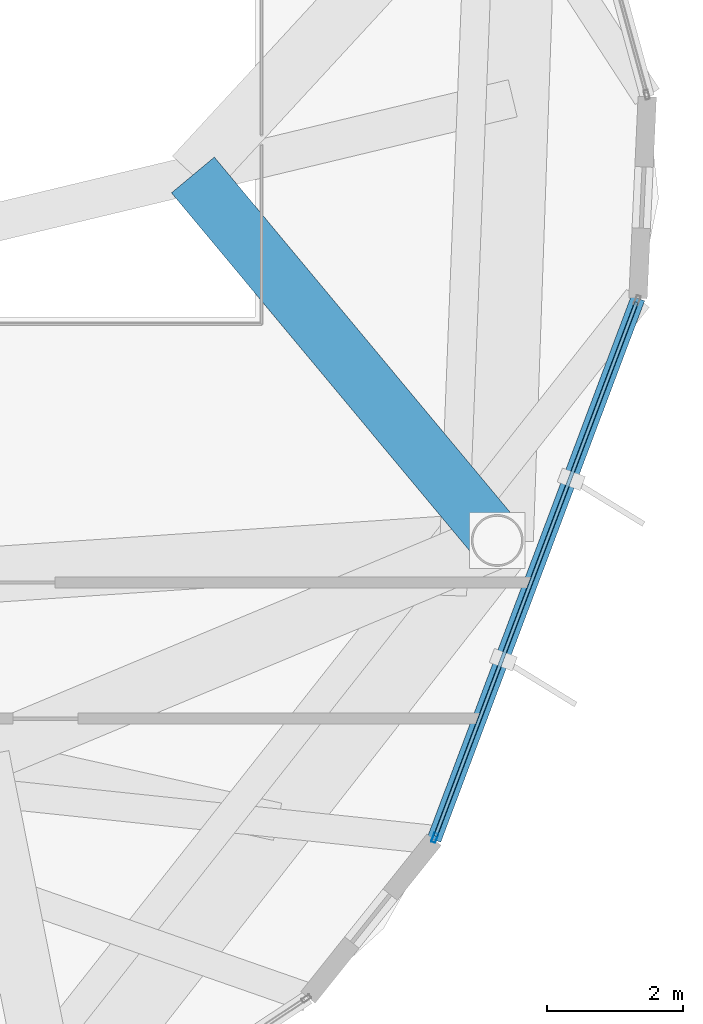
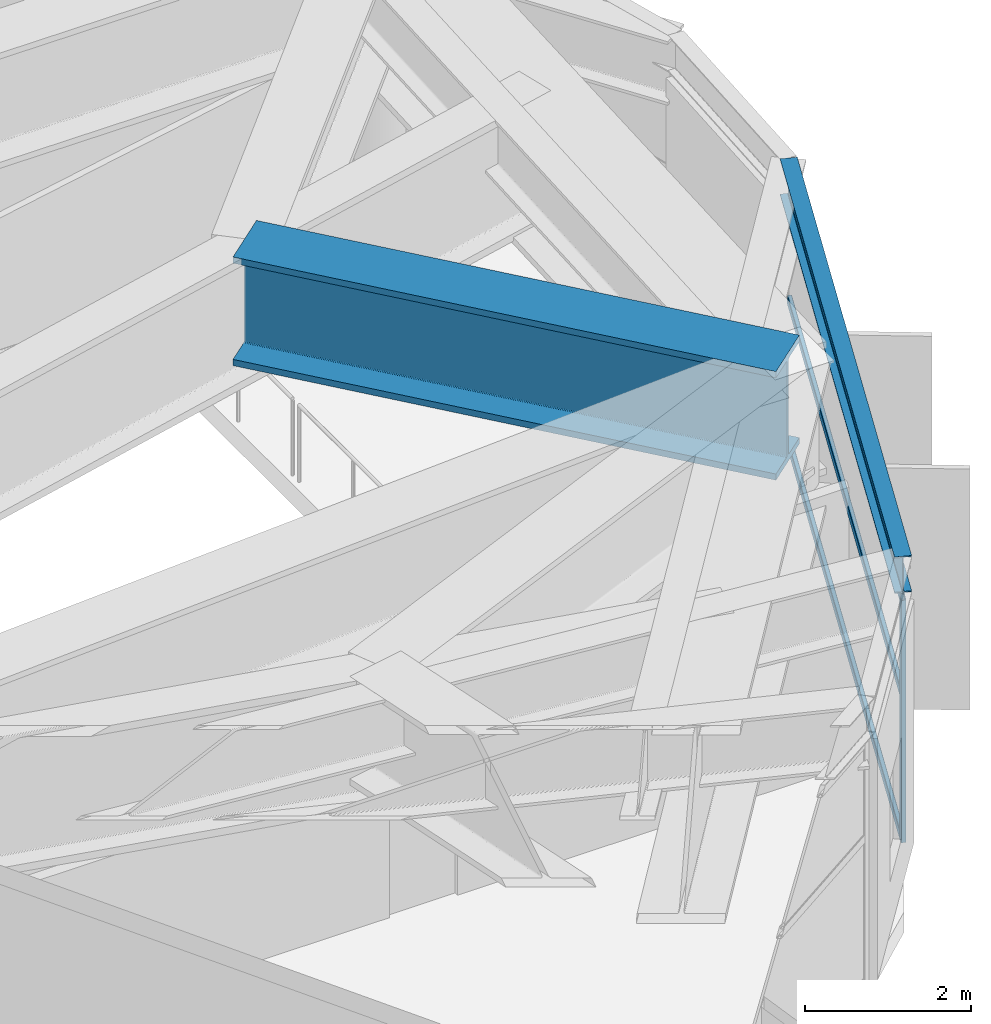
# One storey, part 14 of 27: 4 members, 2 beams, 1 element without a shape of its own.
"""IFC4 building model written with IfcOpenShell, lengths in metres."""

from ifc_helpers import new_model, si_unit, direction, frame, origin, origin_2d, place, context, subcontext, project, spatial, hollow_rectangle, i_section, extrude, material, layer, layer_set, material_profile, profile_set, type_object, element, aggregate, save


model = new_model("IFC4")

# Units and contexts
model_context = context("Model", 3, precision=1e-05, world=origin(), true_north=direction((0.0, 1.0)))
body_context = subcontext(model_context, "Body", "Model", "MODEL_VIEW")
ifc_project = project(units=[si_unit("LENGTHUNIT", "METRE"), si_unit("AREAUNIT", "SQUARE_METRE"), si_unit("VOLUMEUNIT", "CUBIC_METRE"), si_unit("PLANEANGLEUNIT", "RADIAN"), si_unit("MASSUNIT", "GRAM", prefix="KILO")], contexts=[model_context])

# Site, building, storey
site_placement = place(None, origin())
site = spatial("IfcSite", under=ifc_project, at=site_placement, CompositionType="ELEMENT")
building_placement = place(site_placement, origin())
building = spatial("IfcBuilding", under=site, at=building_placement, Name="Soratama Intermodal Tower", CompositionType="ELEMENT")
storey_placement = place(building_placement, frame((0.0, 0.0, 288.550048828125)))
storey = spatial("IfcBuildingStorey", under=building, at=storey_placement, Name="L73", CompositionType="ELEMENT", Elevation=288.550048828125)

# Beams
ifc_material_1 = material(Name="Structural steel ASTM A992 Grade 50", Category="steel")
ifc_material_profile_1 = material_profile(ifc_material_1, i_section(OverallWidth=0.2099609375, OverallDepth=0.537109375, WebThickness=0.010986328125, FlangeThickness=0.017333984375, FilletRadius=0.012939453125, at=origin_2d()), Name="W21X68")
ifc_profile_set_1 = profile_set([ifc_material_profile_1], Name="Structural steel ASTM A992 Grade 50")
beam_type_1 = type_object("IfcBeamType", Name="BM-SPN-W21X68", PredefinedType="SPANDREL", material=ifc_profile_set_1)
beam_1_placement = place(storey_placement, frame((60.23388671875, 14.719970703125, 3.926513671875), z_axis=(0.352457603215, 0.935827782199, 0.0), x_axis=(-0.935827782199, 0.352457603215, 0.0)))
element("IfcBeam", 1, at=beam_1_placement, inside=storey, type_object=beam_type_1, Name="BS-L73-F08", PredefinedType="SPANDREL", context=body_context, shape_type="SweptSolid", body=[
    extrude(i_section(OverallWidth=0.2099609375, OverallDepth=0.537109375, WebThickness=0.010986328125, FlangeThickness=0.017333984375, FilletRadius=0.012939453125, at=origin_2d()), origin(), (0.0, 0.0, 1.0), 8.50048828125),
])
ifc_material_2 = material(Name="Structural steel ASTM A992 Grade 50", Category="steel")
ifc_material_profile_2 = material_profile(ifc_material_2, i_section(OverallWidth=0.820068359375, OverallDepth=1.60205078125, WebThickness=0.055908203125, FlangeThickness=0.092041015625, FilletRadius=0.02392578125, at=origin_2d()), Name="PG1600X650")
ifc_profile_set_2 = profile_set([ifc_material_profile_2], Name="Structural steel ASTM A992 Grade 50")
beam_type_2 = type_object("IfcBeamType", Name="BM-ZSTEP-PG1600", PredefinedType="BEAM", material=ifc_profile_set_2)
beam_2_placement = place(storey_placement, frame((61.1630859375, 19.116943359375, 3.39404296875), z_axis=(-0.639936958857, 0.768427412765, 0.0), x_axis=(-0.768427412765, -0.639936958857, 0.0)))
element("IfcBeam", 2, at=beam_2_placement, inside=storey, type_object=beam_type_2, Name="BM-L73-ZSTEP-A10", PredefinedType="BEAM", context=body_context, shape_type="SweptSolid", body=[
    extrude(i_section(OverallWidth=0.820068359375, OverallDepth=1.60205078125, WebThickness=0.055908203125, FlangeThickness=0.092041015625, FilletRadius=0.02392578125, at=origin_2d()), origin(), (0.0, 0.0, 1.0), 6.988525390625),
])

# Curtain wall, members
ifc_material_3 = material(Name="Double-glazed aluminium curtain wall", Category="aluminium")
ifc_layer = layer(ifc_material_3, 0.159912109375)
ifc_layer_set = layer_set([ifc_layer], Name="Double-glazed aluminium curtain wall")
curtain_wall_type = type_object("IfcCurtainWallType", Name="CW-SYS-6", PredefinedType="NOTDEFINED", material=ifc_layer_set)
curtain_wall_placement = place(storey_placement, origin())
curtain_wall = element("IfcCurtainWall", 3, at=curtain_wall_placement, inside=storey, type_object=curtain_wall_type, Name="L73 Faceted Curtain Wall F08", PredefinedType="NOTDEFINED")
ifc_material_4 = material(Name="Anodised aluminium AA 6063-T6", Category="aluminium")
ifc_material_profile_3 = material_profile(ifc_material_4, hollow_rectangle(XDim=0.06494140625, YDim=0.139892578125, WallThickness=0.0048828125, InnerFilletRadius=0.0048828125, OuterFilletRadius=0.010009765625, at=origin_2d()), Name="CWM140X65X5")
ifc_profile_set_3 = profile_set([ifc_material_profile_3], Name="Anodised aluminium AA 6063-T6")
member_type_1 = type_object("IfcMemberType", Name="MT-CWM-6", PredefinedType="MULLION", material=ifc_profile_set_3)
member_1_placement = place(storey_placement, frame((60.24462890625, 14.748291015625, 0.0), z_axis=(0.0, 0.0, 1.0), x_axis=(-0.935812285902, 0.352498745466, 0.0)))
member_1 = element("IfcMember", 4, at=member_1_placement, type_object=member_type_1, Name="CW-6 mullion 1", PredefinedType="MULLION", context=body_context, shape_type="SweptSolid", body=[
    extrude(hollow_rectangle(XDim=0.06494140625, YDim=0.139892578125, WallThickness=0.0048828125, InnerFilletRadius=0.0048828125, OuterFilletRadius=0.010009765625, at=origin_2d()), origin(), (0.0, 0.0, 1.0), 3.573974609375),
])
ifc_material_5 = material(Name="Anodised aluminium AA 6063-T6", Category="aluminium")
ifc_material_profile_4 = material_profile(ifc_material_5, hollow_rectangle(XDim=0.06005859375, YDim=0.1298828125, WallThickness=0.0048828125, InnerFilletRadius=0.0048828125, OuterFilletRadius=0.010009765625, at=origin_2d()), Name="CWT130X60X5")
ifc_profile_set_4 = profile_set([ifc_material_profile_4], Name="Anodised aluminium AA 6063-T6")
member_type_2 = type_object("IfcMemberType", Name="TT-CWT-2", PredefinedType="USERDEFINED", material=ifc_profile_set_4)
member_2_placement = place(storey_placement, frame((60.25537109375, 14.7763671875, 0.030029296875), z_axis=(0.352492764939, 0.935814538606, 0.0), x_axis=(-0.935814538606, 0.352492764939, 0.0)))
member_2 = element("IfcMember", 5, at=member_2_placement, type_object=member_type_2, Name="CW-6 transom 1.1", ObjectType="TRANSOM", PredefinedType="USERDEFINED", context=body_context, shape_type="SweptSolid", body=[
    extrude(hollow_rectangle(XDim=0.06005859375, YDim=0.1298828125, WallThickness=0.0048828125, InnerFilletRadius=0.0048828125, OuterFilletRadius=0.010009765625, at=origin_2d()), origin(), (0.0, 0.0, 1.0), 8.3798828125),
])
member_3_placement = place(storey_placement, frame((60.25537109375, 14.7763671875, 2.14990234375), z_axis=(0.352492764939, 0.935814538606, 0.0), x_axis=(-0.935814538606, 0.352492764939, 0.0)))
member_3 = element("IfcMember", 6, at=member_3_placement, type_object=member_type_2, Name="CW-6 transom 1.2", ObjectType="TRANSOM", PredefinedType="USERDEFINED", context=body_context, shape_type="SweptSolid", body=[
    extrude(hollow_rectangle(XDim=0.06005859375, YDim=0.1298828125, WallThickness=0.0048828125, InnerFilletRadius=0.0048828125, OuterFilletRadius=0.010009765625, at=origin_2d()), origin(), (0.0, 0.0, 1.0), 8.3798828125),
])
member_4_placement = place(storey_placement, frame((60.25537109375, 14.7763671875, 3.5439453125), z_axis=(0.352492764939, 0.935814538606, 0.0), x_axis=(-0.935814538606, 0.352492764939, 0.0)))
member_4 = element("IfcMember", 7, at=member_4_placement, type_object=member_type_2, Name="CW-6 transom 1.3", ObjectType="TRANSOM", PredefinedType="USERDEFINED", context=body_context, shape_type="SweptSolid", body=[
    extrude(hollow_rectangle(XDim=0.06005859375, YDim=0.1298828125, WallThickness=0.0048828125, InnerFilletRadius=0.0048828125, OuterFilletRadius=0.010009765625, at=origin_2d()), origin(), (0.0, 0.0, 1.0), 8.3798828125),
])
aggregate(curtain_wall, [member_1, member_2, member_3, member_4])

save(model, "model.ifc")
